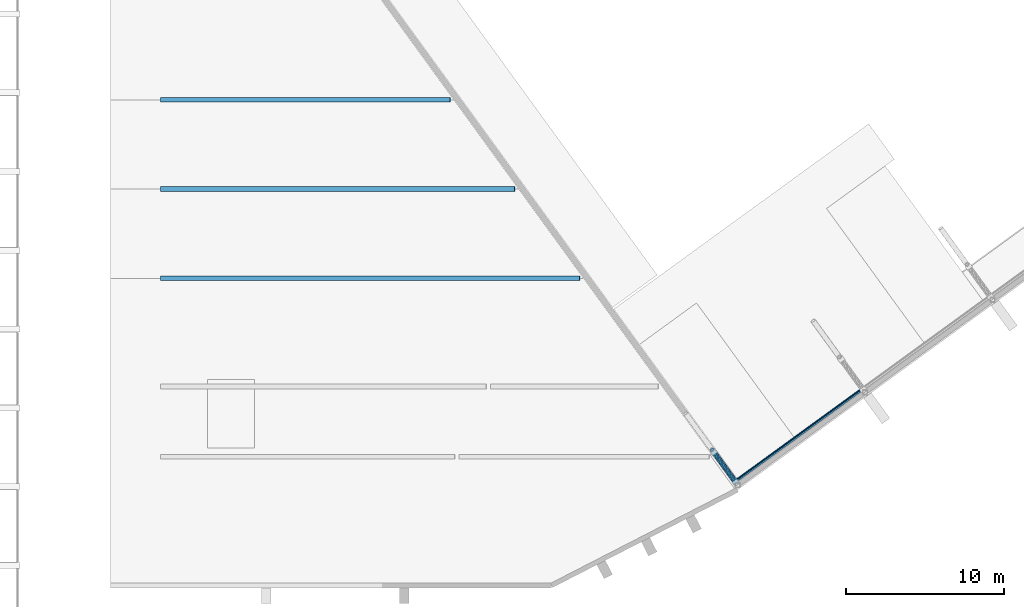
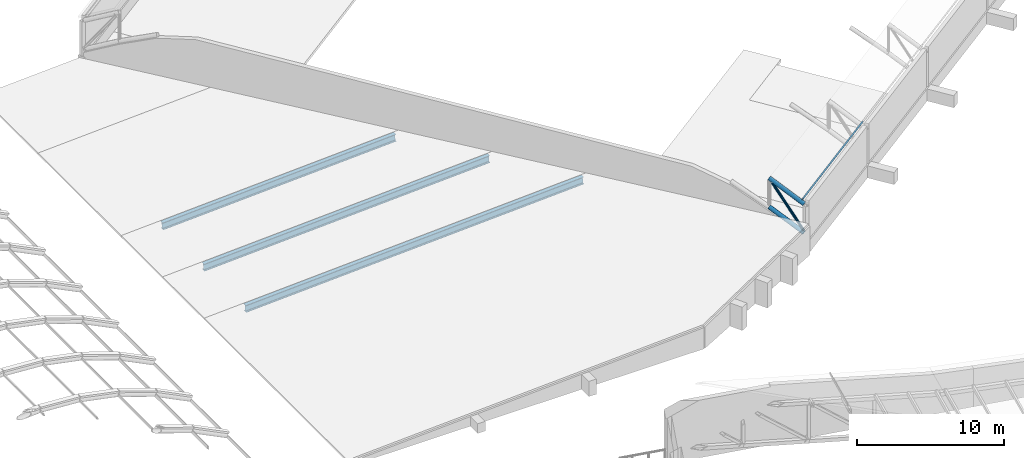
# One storey, part 93 of 196: 4 beams, 3 members.
"""IFC4 building model written with IfcOpenShell, lengths in metres."""

import ifcopenshell
import ifcopenshell.guid

model = None  # the IFC model being written
_history = None  # IfcOwnerHistory: only IFC2X3 demands one
_inside = {}  # id of a spatial element -> (the spatial element, [elements in it])
_under = {}  # id of a project, library or spatial element -> (it, [spatial elements below it])
_declared = {}  # id of a project -> (the project, [libraries it declares])
_typed = {}  # id of a type object -> (the type object, [elements of that type])
_made_of = {}  # id of a material, layer set ... -> (it, [elements and type objects made of it])


def new_model(schema):
    """Start an empty IFC model of exactly this schema.

    Asked for "IFC4X3", IfcOpenShell would pick the latest addendum, in which some entities
    have other attributes; the version numbers below select the first issue.
    IFC2X3 requires an IfcOwnerHistory on every rooted entity: one is made here for all.
    """
    global model, _history
    if schema == "IFC4X3":
        model = ifcopenshell.file(schema_version=(4, 3, 0, 0))
    else:
        model = ifcopenshell.file(schema=schema)
    _inside.clear()
    _under.clear()
    _declared.clear()
    _typed.clear()
    _made_of.clear()
    _history = None
    if model.schema == "IFC2X3":
        org = make("IfcOrganization", Name="unknown")
        user = make(
            "IfcPersonAndOrganization",
            ThePerson=make("IfcPerson", FamilyName="unknown"),
            TheOrganization=org,
        )
        app = make(
            "IfcApplication",
            ApplicationDeveloper=org,
            Version="unknown",
            ApplicationFullName="unknown",
            ApplicationIdentifier="unknown",
        )
        _history = make(
            "IfcOwnerHistory",
            OwningUser=user,
            OwningApplication=app,
            ChangeAction="ADDED",
            CreationDate=0,
        )
    return model


def make(cls, **values):
    """One entity of the class cls with the attributes given. An attribute that is None is left unset."""
    return model.create_entity(
        cls, **{name: value for name, value in values.items() if value is not None}
    )


def rooted(cls, **values):
    """An entity with a GlobalId (a new one), such as an element, a storey or a relation."""
    return make(cls, GlobalId=ifcopenshell.guid.new(), OwnerHistory=_history, **values)


def si_unit(unit_type, name, prefix=None):
    """IfcSIUnit, for example si_unit("LENGTHUNIT", "METRE", prefix="MILLI")."""
    return make("IfcSIUnit", UnitType=unit_type, Prefix=prefix, Name=name)


def assignment(units):
    """IfcUnitAssignment: the units of a project."""
    return None if units is None else make("IfcUnitAssignment", Units=units)


def point(xyz):
    """IfcCartesianPoint."""
    return None if xyz is None else make("IfcCartesianPoint", Coordinates=xyz)


def direction(xyz):
    """IfcDirection."""
    return None if xyz is None else make("IfcDirection", DirectionRatios=xyz)


def frame(location, z_axis=None, x_axis=None):
    """IfcAxis2Placement3D, a coordinate frame: its origin and axes. An axis left out is left unset."""
    return make(
        "IfcAxis2Placement3D",
        Location=point(location),
        Axis=direction(z_axis),
        RefDirection=direction(x_axis),
    )


def frame_2d(location, x_axis=None):
    """IfcAxis2Placement2D, a coordinate frame in the plane: its origin and x axis."""
    return make(
        "IfcAxis2Placement2D", Location=point(location), RefDirection=direction(x_axis)
    )


def origin():
    """The frame at (0, 0, 0) with its axes left unset."""
    return frame((0.0, 0.0, 0.0))


def origin_2d():
    """The frame at (0, 0) in the plane with its x axis left unset."""
    return frame_2d((0.0, 0.0))


def place(relative_to, where):
    """IfcLocalPlacement: puts the frame where relative to a parent placement (None: the world)."""
    return make(
        "IfcLocalPlacement", PlacementRelTo=relative_to, RelativePlacement=where
    )


def context(
    kind, dimensions, precision=None, world=None, true_north=None, identifier=None
):
    """IfcGeometricRepresentationContext, for example the 3D "Model" context."""
    return make(
        "IfcGeometricRepresentationContext",
        ContextIdentifier=identifier,
        ContextType=kind,
        CoordinateSpaceDimension=dimensions,
        Precision=precision,
        WorldCoordinateSystem=world,
        TrueNorth=true_north,
    )


def subcontext(parent, identifier, kind, view, scale=None):
    """IfcGeometricRepresentationSubContext, for example "Body" below "Model"."""
    return make(
        "IfcGeometricRepresentationSubContext",
        ContextIdentifier=identifier,
        ContextType=kind,
        ParentContext=parent,
        TargetScale=scale,
        TargetView=view,
    )


def project(units=None, contexts=None):
    """IfcProject with its units and contexts."""
    return rooted(
        "IfcProject",
        Name="project",
        RepresentationContexts=contexts,
        UnitsInContext=assignment(units),
    )


def spatial(cls, under=None, at=None, **own):
    """A site, building, storey or space (cls), placed at a placement, below another one or the project."""
    s = rooted(cls, ObjectPlacement=at, **own)
    if under is not None:
        _under.setdefault(under.id(), (under, []))[1].append(s)
    return s


def profile(cls, at=None, kind="AREA", **sizes):
    """A parametric profile (cls). Its sizes go by their IFC names, for example OverallWidth=200.0."""
    return make(cls, ProfileType=kind, Position=at, **sizes)


def hollow_circle(**sizes):
    """IfcCircleHollowProfileDef."""
    return profile("IfcCircleHollowProfileDef", **sizes)


def i_section(**sizes):
    """IfcIShapeProfileDef."""
    return profile("IfcIShapeProfileDef", **sizes)


def extrude(swept, where, along, depth):
    """IfcExtrudedAreaSolid: the profile swept, set in the frame where, extruded along a direction by depth."""
    return make(
        "IfcExtrudedAreaSolid",
        SweptArea=swept,
        Position=where,
        ExtrudedDirection=direction(along),
        Depth=depth,
    )


def shape(context_of_items, identifier, shape_type, items):
    """IfcShapeRepresentation: the items that make up one representation, for example the "Body"."""
    return make(
        "IfcShapeRepresentation",
        ContextOfItems=context_of_items,
        RepresentationIdentifier=identifier,
        RepresentationType=shape_type,
        Items=items,
    )


def material(Name=None, Category=None):
    """IfcMaterial."""
    return make("IfcMaterial", Name=Name, Category=Category)


def material_profile(
    of_material, cross_section, Name=None, Category=None, Priority=None
):
    """IfcMaterialProfile: a cross section and its material."""
    return make(
        "IfcMaterialProfile",
        Name=Name,
        Material=of_material,
        Profile=cross_section,
        Priority=Priority,
        Category=Category,
    )


def profile_set(profiles, Name=None, composite=None):
    """IfcMaterialProfileSet."""
    return make(
        "IfcMaterialProfileSet",
        Name=Name,
        MaterialProfiles=profiles,
        CompositeProfile=composite,
    )


def made_of(thing, what):
    """Note that an element or type object is made of a material, layer set ...; save() writes the relation."""
    if what is not None:
        _made_of.setdefault(what.id(), (what, []))[1].append(thing)
    return thing


def type_object(cls, material=None, **own):
    """A type object (cls), such as IfcWallType, which elements share."""
    return made_of(rooted(cls, **own), material)


def element(
    cls,
    number,
    at=None,
    inside=None,
    cuts=None,
    type_object=None,
    material=None,
    context=None,
    identifier="Body",
    shape_type=None,
    held_by="IfcProductDefinitionShape",
    body=None,
    shapes=None,
    **own,
):
    """One element of the class cls, such as IfcWall. Its Tag is "e" and its number.

    at: its placement. inside: the storey or other place that contains it. cuts: it is an
    opening in that element (IfcRelVoidsElement). A single representation is given by context,
    identifier, shape_type and body (its items); several are given by shapes. held_by: the class
    of the entity that holds the representations. save() writes the other relations.
    """
    e = rooted(cls, Tag="e%d" % number, ObjectPlacement=at, **own)
    if body is not None:
        shapes = [shape(context, identifier, shape_type, body)]
    if shapes is not None:
        e.Representation = make(held_by, Representations=shapes)
    if inside is not None:
        _inside.setdefault(inside.id(), (inside, []))[1].append(e)
    if cuts is not None:
        rooted(
            "IfcRelVoidsElement", RelatingBuildingElement=cuts, RelatedOpeningElement=e
        )
    if type_object is not None:
        _typed.setdefault(type_object.id(), (type_object, []))[1].append(e)
    return made_of(e, material)


def aggregate(whole, parts):
    """IfcRelAggregates: a whole, such as a stair, and the parts it consists of."""
    return rooted("IfcRelAggregates", RelatingObject=whole, RelatedObjects=parts)


def save(model, path):
    """Write the relations noted so far, then the file.

    IfcRelAggregates (storeys below a building ...), IfcRelContainedInSpatialStructure (elements
    in a storey), IfcRelDefinesByType, IfcRelAssociatesMaterial and IfcRelDeclares: one each for
    every whole, place, type object, material and project.
    """
    for whole, parts in _under.values():
        aggregate(whole, parts)
    for where, things in _inside.values():
        rooted(
            "IfcRelContainedInSpatialStructure",
            RelatedElements=things,
            RelatingStructure=where,
        )
    for kind, things in _typed.values():
        rooted("IfcRelDefinesByType", RelatedObjects=things, RelatingType=kind)
    for what, things in _made_of.values():
        rooted("IfcRelAssociatesMaterial", RelatedObjects=things, RelatingMaterial=what)
    for by, libraries in _declared.values():
        rooted("IfcRelDeclares", RelatingContext=by, RelatedDefinitions=libraries)
    model.write(path)


model = new_model("IFC4")

# Units and contexts
model_context = context("Model", 3, precision=1e-05, world=origin(), true_north=direction((0.0, 1.0)))
body_context = subcontext(model_context, "Body", "Model", "MODEL_VIEW")
ifc_project = project(units=[si_unit("LENGTHUNIT", "METRE"), si_unit("AREAUNIT", "SQUARE_METRE"), si_unit("VOLUMEUNIT", "CUBIC_METRE"), si_unit("PLANEANGLEUNIT", "RADIAN"), si_unit("MASSUNIT", "GRAM", prefix="KILO")], contexts=[model_context])

# Site, building, storey
site_placement = place(None, origin())
site = spatial("IfcSite", under=ifc_project, at=site_placement, CompositionType="ELEMENT")
building_placement = place(site_placement, origin())
building = spatial("IfcBuilding", under=site, at=building_placement, Name="Okhra Congress Centre", CompositionType="ELEMENT")
storey_placement = place(building_placement, frame((0.0, 0.0, 12.0)))
storey = spatial("IfcBuildingStorey", under=building, at=storey_placement, Name="L02", CompositionType="ELEMENT", Elevation=12.0)

# Members
ifc_material_1 = material(Name="Steel S355J2H", Category="steel")
ifc_material_profile_1 = material_profile(ifc_material_1, hollow_circle(Radius=0.096923828125, WallThickness=0.010009765625, at=origin_2d()), Name="CHS 193.7x10")
ifc_profile_set_1 = profile_set([ifc_material_profile_1], Name="Steel S355J2H")
member_type_1 = type_object("IfcMemberType", Name="CHS 193.7x10", PredefinedType="BRACE", material=ifc_profile_set_1)
member_placement = place(storey_placement, frame((229.70361328125, 156.255859375, 1.705810546875), z_axis=(-0.340441482182, 0.468644406713, 0.815151530248), x_axis=(-0.809056898295, -0.587730325338, 0.0)))
element("IfcMember", 1, at=member_placement, inside=storey, type_object=member_type_1, Name="Truss 1 diagonal 1", PredefinedType="BRACE", context=body_context, shape_type="SweptSolid", body=[
    extrude(hollow_circle(Radius=0.096923828125, WallThickness=0.010009765625, at=origin_2d()), origin(), (0.0, 0.0, 1.0), 4.145751953125),
])
ifc_material_profile_2 = material_profile(ifc_material_1, hollow_circle(Radius=0.161865234375, WallThickness=0.012451171875, at=origin_2d()), Name="CHS 323.9x12.5")
ifc_profile_set_2 = profile_set([ifc_material_profile_2], Name="Steel S355J2H")
member_type_2 = type_object("IfcMemberType", Name="CHS 323.9x12.5", PredefinedType="CHORD", material=ifc_profile_set_2)
for number, where, z_axis, x_axis, name in (
    (2, (229.722412109375, 156.230224609375, 1.53076171875), (-0.517401358597, 0.712084303088, 0.474585903097), (-0.808994395952, -0.587816355096, 0.0), "Truss 1 bottom chord 1"),
    (3, (229.722412109375, 156.230224609375, 3.930908203125), (-0.517401358597, 0.712084303088, 0.474585903097), (-0.808994395952, -0.587816355096, 0.0), "Truss 1 top chord 1"),
):
    element("IfcMember", number, at=place(storey_placement, frame(where, z_axis=z_axis, x_axis=x_axis)), inside=storey, type_object=member_type_2, Name=name, PredefinedType="CHORD", context=body_context, shape_type="SweptSolid", body=[
        extrude(hollow_circle(Radius=0.161865234375, WallThickness=0.012451171875, at=origin_2d()), origin(), (0.0, 0.0, 1.0), 2.970947265625),
    ])

# Beams
ifc_material_2 = material(Name="Steel S355J2", Category="steel")
ifc_material_profile_3 = material_profile(ifc_material_2, i_section(OverallWidth=0.300048828125, OverallDepth=0.60009765625, WebThickness=0.015380859375, FlangeThickness=0.030029296875, FilletRadius=0.027099609375, at=origin_2d()), Name="HE 600 B")
ifc_profile_set_3 = profile_set([ifc_material_profile_3], Name="Steel S355J2")
beam_type_1 = type_object("IfcBeamType", Name="HE 600 B", PredefinedType="BEAM", material=ifc_profile_set_3)
beam_1_placement = place(storey_placement, frame((193.199951171875, 169.219970703125, 0.1650390625), z_axis=(0.99862950642, 0.0, 0.052336496893), x_axis=(0.0, 1.0, 0.0)))
element("IfcBeam", 4, at=beam_1_placement, inside=storey, type_object=beam_type_1, Name="Foyer rafter 3", PredefinedType="BEAM", context=body_context, shape_type="SweptSolid", body=[
    extrude(i_section(OverallWidth=0.300048828125, OverallDepth=0.60009765625, WebThickness=0.015380859375, FlangeThickness=0.030029296875, FilletRadius=0.027099609375, at=origin_2d()), origin(), (0.0, 0.0, 1.0), 26.626708984375),
])
beam_2_placement = place(storey_placement, frame((193.199951171875, 174.889892578125, 0.1650390625), z_axis=(0.998629344451, 0.0, 0.052339587332), x_axis=(0.0, 1.0, 0.0)))
element("IfcBeam", 5, at=beam_2_placement, inside=storey, type_object=beam_type_1, Name="Foyer rafter 4", PredefinedType="BEAM", context=body_context, shape_type="SweptSolid", body=[
    extrude(i_section(OverallWidth=0.300048828125, OverallDepth=0.60009765625, WebThickness=0.015380859375, FlangeThickness=0.030029296875, FilletRadius=0.027099609375, at=origin_2d()), origin(), (0.0, 0.0, 1.0), 22.501708984375),
])
beam_3_placement = place(storey_placement, frame((193.199951171875, 180.550048828125, 0.1650390625), z_axis=(0.998629470745, 0.0, 0.052337177603), x_axis=(0.0, 1.0, 0.0)))
element("IfcBeam", 6, at=beam_3_placement, inside=storey, type_object=beam_type_1, Name="Foyer rafter 5", PredefinedType="BEAM", context=body_context, shape_type="SweptSolid", body=[
    extrude(i_section(OverallWidth=0.300048828125, OverallDepth=0.60009765625, WebThickness=0.015380859375, FlangeThickness=0.030029296875, FilletRadius=0.027099609375, at=origin_2d()), origin(), (0.0, 0.0, 1.0), 18.3837890625),
])
ifc_material_profile_4 = material_profile(ifc_material_2, i_section(OverallWidth=0.10009765625, OverallDepth=0.199951171875, WebThickness=0.005615234375, FlangeThickness=0.008544921875, FilletRadius=0.011962890625, at=origin_2d()), Name="IPE 200")
ifc_profile_set_4 = profile_set([ifc_material_profile_4], Name="Steel S355J2")
beam_type_2 = type_object("IfcBeamType", Name="IPE 200", PredefinedType="BEAM", material=ifc_profile_set_4)
beam_4_placement = place(storey_placement, frame((229.64990234375, 156.329833984375, 4.29150390625), z_axis=(0.809010490052, 0.58779420462, 0.0), x_axis=(-0.517377276636, 0.712092158826, 0.474600369743)))
element("IfcBeam", 7, at=beam_4_placement, inside=storey, type_object=beam_type_2, Name="Purlin 1.1", PredefinedType="BEAM", context=body_context, shape_type="SweptSolid", body=[
    extrude(i_section(OverallWidth=0.10009765625, OverallDepth=0.199951171875, WebThickness=0.005615234375, FlangeThickness=0.008544921875, FilletRadius=0.011962890625, at=origin_2d()), origin(), (0.0, 0.0, 1.0), 10.0),
])

save(model, "model.ifc")
